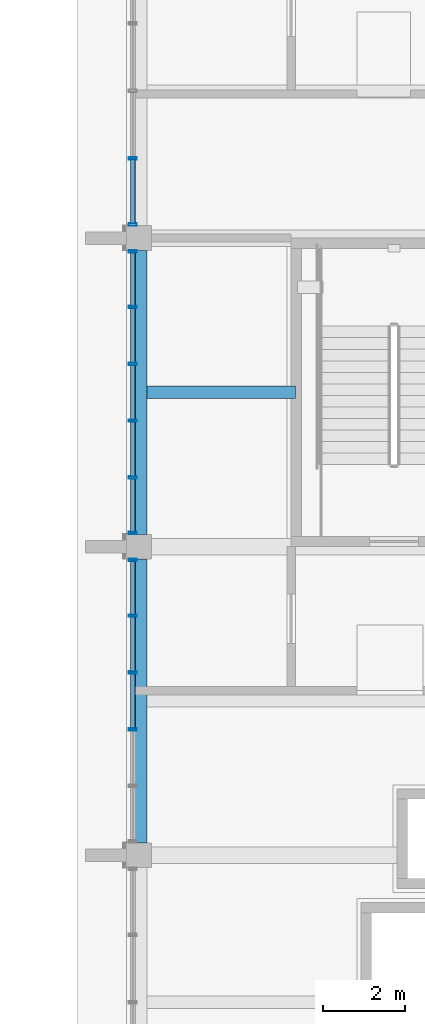
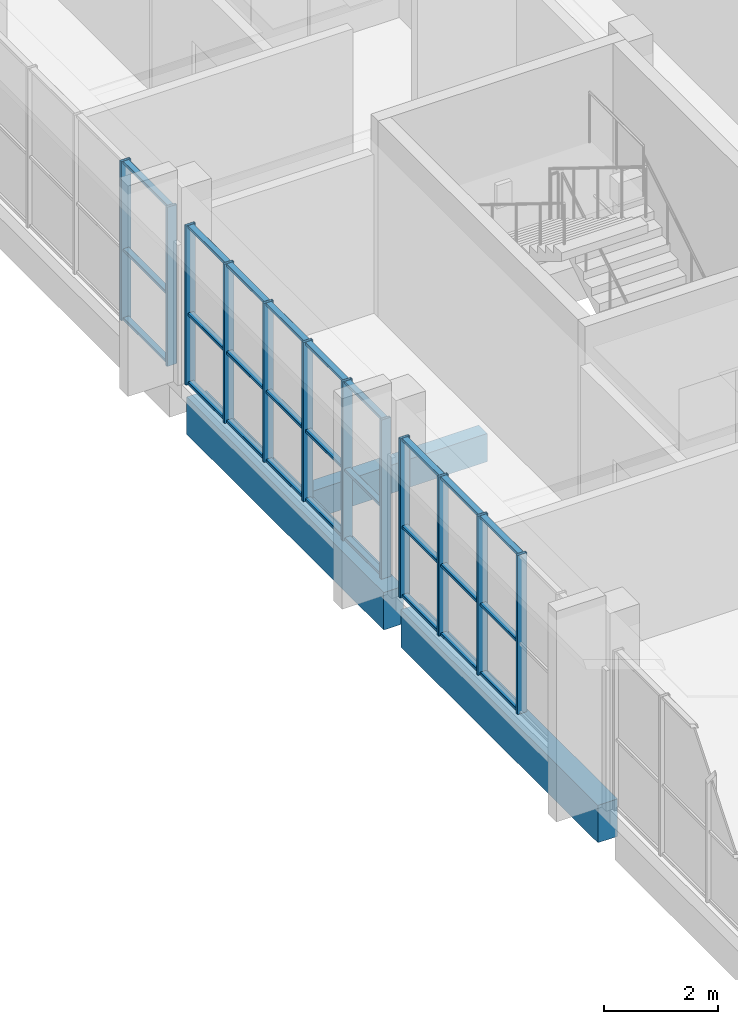
# One storey, part 13 of 42: 39 members, 3 beams, 3 elements without a shape of their own.
"""IFC4 building model written with IfcOpenShell, lengths in metres."""

from ifc_helpers import new_model, si_unit, direction, frame, origin, origin_2d, place, context, subcontext, project, spatial, rectangle, hollow_rectangle, extrude, material, material_profile, profile_set, type_object, element, aggregate, save


model = new_model("IFC4")

# Units and contexts
model_context = context("Model", 3, precision=1e-05, world=origin(), true_north=direction((0.0, 1.0)))
body_context = subcontext(model_context, "Body", "Model", "MODEL_VIEW")
ifc_project = project(units=[si_unit("LENGTHUNIT", "METRE"), si_unit("AREAUNIT", "SQUARE_METRE"), si_unit("VOLUMEUNIT", "CUBIC_METRE"), si_unit("PLANEANGLEUNIT", "RADIAN"), si_unit("MASSUNIT", "GRAM", prefix="KILO")], contexts=[model_context])

# Site, building, storey
site_placement = place(None, origin())
site = spatial("IfcSite", under=ifc_project, at=site_placement, CompositionType="ELEMENT")
building_placement = place(site_placement, origin())
building = spatial("IfcBuilding", under=site, at=building_placement, Name="Sun Court Science Centre", CompositionType="ELEMENT")
storey_placement = place(building_placement, frame((0.0, 0.0, 20.25)))
storey = spatial("IfcBuildingStorey", under=building, at=storey_placement, Name="L04", CompositionType="ELEMENT", Elevation=20.25)

# Curtain wall, members
ifc_material_1 = material(Name="Aluminium EN AW-6063 T6", Category="aluminium")
curtain_wall_type = type_object("IfcCurtainWallType", Name="Laboratory tall bay curtain wall 1500", PredefinedType="NOTDEFINED", material=ifc_material_1)
curtain_wall_1_placement = place(storey_placement, origin())
curtain_wall_1 = element("IfcCurtainWall", 1, at=curtain_wall_1_placement, inside=storey, type_object=curtain_wall_type, Name="Curtain wall V4 W L04 04", PredefinedType="NOTDEFINED")
ifc_material_2 = material(Name="Aluminium EN AW-6063 T6", Category="aluminium")
ifc_material_profile_1 = material_profile(ifc_material_2, hollow_rectangle(XDim=0.06005859375, YDim=0.199951171875, WallThickness=0.0048828125, InnerFilletRadius=0.0048828125, OuterFilletRadius=0.007568359375, at=origin_2d()), Name="AL 60x200x5")
ifc_profile_set_1 = profile_set([ifc_material_profile_1], Name="Aluminium EN AW-6063 T6")
member_type_1 = type_object("IfcMemberType", Name="Curtain wall mullion AL 60x200", PredefinedType="MULLION", material=ifc_profile_set_1)
member_1_placement = place(storey_placement, frame((78.14990234375, 54.06005859375, 0.0), z_axis=(0.0, 0.0, 1.0), x_axis=(0.0, 1.0, 0.0)))
member_1 = element("IfcMember", 2, at=member_1_placement, type_object=member_type_1, Name="CW2-40 mullion 3", PredefinedType="MULLION", context=body_context, shape_type="SweptSolid", body=[
    extrude(hollow_rectangle(XDim=0.06005859375, YDim=0.199951171875, WallThickness=0.0048828125, InnerFilletRadius=0.0048828125, OuterFilletRadius=0.007568359375, at=origin_2d()), origin(), (0.0, 0.0, 1.0), 3.39990234375),
])
member_2_placement = place(storey_placement, frame((78.14990234375, 55.43994140625, 0.0), z_axis=(0.0, 0.0, 1.0), x_axis=(0.0, 1.0, 0.0)))
member_2 = element("IfcMember", 3, at=member_2_placement, type_object=member_type_1, Name="CW2-40 mullion 4", PredefinedType="MULLION", context=body_context, shape_type="SweptSolid", body=[
    extrude(hollow_rectangle(XDim=0.06005859375, YDim=0.199951171875, WallThickness=0.0048828125, InnerFilletRadius=0.0048828125, OuterFilletRadius=0.007568359375, at=origin_2d()), origin(), (0.0, 0.0, 1.0), 3.39990234375),
])
member_3_placement = place(storey_placement, frame((78.14990234375, 56.820068359375, 0.0), z_axis=(0.0, 0.0, 1.0), x_axis=(0.0, 1.0, 0.0)))
member_3 = element("IfcMember", 4, at=member_3_placement, type_object=member_type_1, Name="CW2-40 mullion 5", PredefinedType="MULLION", context=body_context, shape_type="SweptSolid", body=[
    extrude(hollow_rectangle(XDim=0.06005859375, YDim=0.199951171875, WallThickness=0.0048828125, InnerFilletRadius=0.0048828125, OuterFilletRadius=0.007568359375, at=origin_2d()), origin(), (0.0, 0.0, 1.0), 3.39990234375),
])
member_4_placement = place(storey_placement, frame((78.14990234375, 58.169921875, 0.0), z_axis=(0.0, 0.0, 1.0), x_axis=(0.0, 1.0, 0.0)))
member_4 = element("IfcMember", 5, at=member_4_placement, type_object=member_type_1, Name="CW2-40 mullion 6", PredefinedType="MULLION", context=body_context, shape_type="SweptSolid", body=[
    extrude(hollow_rectangle(XDim=0.06005859375, YDim=0.199951171875, WallThickness=0.0048828125, InnerFilletRadius=0.0048828125, OuterFilletRadius=0.007568359375, at=origin_2d()), origin(), (0.0, 0.0, 1.0), 3.39990234375),
])

curtain_wall_2_placement = place(storey_placement, origin())
curtain_wall_2 = element("IfcCurtainWall", 6, at=curtain_wall_2_placement, inside=storey, type_object=curtain_wall_type, Name="Curtain wall V4 W L04 05", PredefinedType="NOTDEFINED")
member_5_placement = place(storey_placement, frame((78.14990234375, 58.830078125, 0.0), z_axis=(0.0, 0.0, 1.0), x_axis=(0.0, 1.0, 0.0)))
member_5 = element("IfcMember", 7, at=member_5_placement, type_object=member_type_1, Name="CW2-41 mullion 1", PredefinedType="MULLION", context=body_context, shape_type="SweptSolid", body=[
    extrude(hollow_rectangle(XDim=0.06005859375, YDim=0.199951171875, WallThickness=0.0048828125, InnerFilletRadius=0.0048828125, OuterFilletRadius=0.007568359375, at=origin_2d()), origin(), (0.0, 0.0, 1.0), 3.39990234375),
])
member_6_placement = place(storey_placement, frame((78.14990234375, 60.179931640625, 0.0), z_axis=(0.0, 0.0, 1.0), x_axis=(0.0, 1.0, 0.0)))
member_6 = element("IfcMember", 8, at=member_6_placement, type_object=member_type_1, Name="CW2-41 mullion 2", PredefinedType="MULLION", context=body_context, shape_type="SweptSolid", body=[
    extrude(hollow_rectangle(XDim=0.06005859375, YDim=0.199951171875, WallThickness=0.0048828125, InnerFilletRadius=0.0048828125, OuterFilletRadius=0.007568359375, at=origin_2d()), origin(), (0.0, 0.0, 1.0), 3.39990234375),
])
member_7_placement = place(storey_placement, frame((78.14990234375, 61.56005859375, 0.0), z_axis=(0.0, 0.0, 1.0), x_axis=(0.0, 1.0, 0.0)))
member_7 = element("IfcMember", 9, at=member_7_placement, type_object=member_type_1, Name="CW2-41 mullion 3", PredefinedType="MULLION", context=body_context, shape_type="SweptSolid", body=[
    extrude(hollow_rectangle(XDim=0.06005859375, YDim=0.199951171875, WallThickness=0.0048828125, InnerFilletRadius=0.0048828125, OuterFilletRadius=0.007568359375, at=origin_2d()), origin(), (0.0, 0.0, 1.0), 3.39990234375),
])
member_8_placement = place(storey_placement, frame((78.14990234375, 62.93994140625, 0.0), z_axis=(0.0, 0.0, 1.0), x_axis=(0.0, 1.0, 0.0)))
member_8 = element("IfcMember", 10, at=member_8_placement, type_object=member_type_1, Name="CW2-41 mullion 4", PredefinedType="MULLION", context=body_context, shape_type="SweptSolid", body=[
    extrude(hollow_rectangle(XDim=0.06005859375, YDim=0.199951171875, WallThickness=0.0048828125, InnerFilletRadius=0.0048828125, OuterFilletRadius=0.007568359375, at=origin_2d()), origin(), (0.0, 0.0, 1.0), 3.39990234375),
])
member_9_placement = place(storey_placement, frame((78.14990234375, 64.320068359375, 0.0), z_axis=(0.0, 0.0, 1.0), x_axis=(0.0, 1.0, 0.0)))
member_9 = element("IfcMember", 11, at=member_9_placement, type_object=member_type_1, Name="CW2-41 mullion 5", PredefinedType="MULLION", context=body_context, shape_type="SweptSolid", body=[
    extrude(hollow_rectangle(XDim=0.06005859375, YDim=0.199951171875, WallThickness=0.0048828125, InnerFilletRadius=0.0048828125, OuterFilletRadius=0.007568359375, at=origin_2d()), origin(), (0.0, 0.0, 1.0), 3.39990234375),
])
member_10_placement = place(storey_placement, frame((78.14990234375, 65.669921875, 0.0), z_axis=(0.0, 0.0, 1.0), x_axis=(0.0, 1.0, 0.0)))
member_10 = element("IfcMember", 12, at=member_10_placement, type_object=member_type_1, Name="CW2-41 mullion 6", PredefinedType="MULLION", context=body_context, shape_type="SweptSolid", body=[
    extrude(hollow_rectangle(XDim=0.06005859375, YDim=0.199951171875, WallThickness=0.0048828125, InnerFilletRadius=0.0048828125, OuterFilletRadius=0.007568359375, at=origin_2d()), origin(), (0.0, 0.0, 1.0), 3.39990234375),
])

curtain_wall_3_placement = place(storey_placement, origin())
curtain_wall_3 = element("IfcCurtainWall", 13, at=curtain_wall_3_placement, inside=storey, type_object=curtain_wall_type, Name="Curtain wall V4 W L04 06", PredefinedType="NOTDEFINED")
member_11_placement = place(storey_placement, frame((78.14990234375, 66.330078125, 0.0), z_axis=(0.0, 0.0, 1.0), x_axis=(0.0, 1.0, 0.0)))
member_11 = element("IfcMember", 14, at=member_11_placement, type_object=member_type_1, Name="CW2-42 mullion 1", PredefinedType="MULLION", context=body_context, shape_type="SweptSolid", body=[
    extrude(hollow_rectangle(XDim=0.06005859375, YDim=0.199951171875, WallThickness=0.0048828125, InnerFilletRadius=0.0048828125, OuterFilletRadius=0.007568359375, at=origin_2d()), origin(), (0.0, 0.0, 1.0), 3.39990234375),
])
member_12_placement = place(storey_placement, frame((78.14990234375, 67.9375, 0.0), z_axis=(0.0, 0.0, 1.0), x_axis=(0.0, 1.0, 0.0)))
member_12 = element("IfcMember", 15, at=member_12_placement, type_object=member_type_1, Name="CW2-42 mullion 2", PredefinedType="MULLION", context=body_context, shape_type="SweptSolid", body=[
    extrude(hollow_rectangle(XDim=0.06005859375, YDim=0.199951171875, WallThickness=0.0048828125, InnerFilletRadius=0.0048828125, OuterFilletRadius=0.007568359375, at=origin_2d()), origin(), (0.0, 0.0, 1.0), 3.39990234375),
])

# Member
ifc_material_3 = material(Name="Aluminium EN AW-6063 T6", Category="aluminium")
ifc_material_profile_2 = material_profile(ifc_material_3, hollow_rectangle(XDim=0.06005859375, YDim=0.1201171875, WallThickness=0.00390625, InnerFilletRadius=0.00390625, OuterFilletRadius=0.006103515625, at=origin_2d()), Name="AL 60x120x4")
ifc_profile_set_2 = profile_set([ifc_material_profile_2], Name="Aluminium EN AW-6063 T6")
member_type_2 = type_object("IfcMemberType", Name="Curtain wall transom AL 60x120", PredefinedType="USERDEFINED", material=ifc_profile_set_2)
member_13_placement = place(storey_placement, frame((78.14990234375, 54.090087890625, 0.030029296875), z_axis=(0.0, 1.0, 0.0), x_axis=(0.0, 0.0, 1.0)))
member_13 = element("IfcMember", 16, at=member_13_placement, type_object=member_type_2, Name="CW2-40 transom 3.1", ObjectType="TRANSOM", PredefinedType="USERDEFINED", context=body_context, shape_type="SweptSolid", body=[
    extrude(hollow_rectangle(XDim=0.06005859375, YDim=0.1201171875, WallThickness=0.00390625, InnerFilletRadius=0.00390625, OuterFilletRadius=0.006103515625, at=origin_2d()), origin(), (0.0, 0.0, 1.0), 1.31982421875),
])

member_14_placement = place(storey_placement, frame((78.14990234375, 55.469970703125, 0.030029296875), z_axis=(0.0, 1.0, 0.0), x_axis=(0.0, 0.0, 1.0)))
member_14 = element("IfcMember", 17, at=member_14_placement, type_object=member_type_2, Name="CW2-40 transom 4.1", ObjectType="TRANSOM", PredefinedType="USERDEFINED", context=body_context, shape_type="SweptSolid", body=[
    extrude(hollow_rectangle(XDim=0.06005859375, YDim=0.1201171875, WallThickness=0.00390625, InnerFilletRadius=0.00390625, OuterFilletRadius=0.006103515625, at=origin_2d()), origin(), (0.0, 0.0, 1.0), 1.320068359375),
])

member_15_placement = place(storey_placement, frame((78.14990234375, 56.85009765625, 0.030029296875), z_axis=(0.0, 1.0, 0.0), x_axis=(0.0, 0.0, 1.0)))
member_15 = element("IfcMember", 18, at=member_15_placement, type_object=member_type_2, Name="CW2-40 transom 5.1", ObjectType="TRANSOM", PredefinedType="USERDEFINED", context=body_context, shape_type="SweptSolid", body=[
    extrude(hollow_rectangle(XDim=0.06005859375, YDim=0.1201171875, WallThickness=0.00390625, InnerFilletRadius=0.00390625, OuterFilletRadius=0.006103515625, at=origin_2d()), origin(), (0.0, 0.0, 1.0), 1.289794921875),
])

member_16_placement = place(storey_placement, frame((78.14990234375, 54.090087890625, 1.5), z_axis=(0.0, 1.0, 0.0), x_axis=(0.0, 0.0, 1.0)))
member_16 = element("IfcMember", 19, at=member_16_placement, type_object=member_type_2, Name="CW2-40 transom 3.2", ObjectType="TRANSOM", PredefinedType="USERDEFINED", context=body_context, shape_type="SweptSolid", body=[
    extrude(hollow_rectangle(XDim=0.06005859375, YDim=0.1201171875, WallThickness=0.00390625, InnerFilletRadius=0.00390625, OuterFilletRadius=0.006103515625, at=origin_2d()), origin(), (0.0, 0.0, 1.0), 1.31982421875),
])

member_17_placement = place(storey_placement, frame((78.14990234375, 55.469970703125, 1.5), z_axis=(0.0, 1.0, 0.0), x_axis=(0.0, 0.0, 1.0)))
member_17 = element("IfcMember", 20, at=member_17_placement, type_object=member_type_2, Name="CW2-40 transom 4.2", ObjectType="TRANSOM", PredefinedType="USERDEFINED", context=body_context, shape_type="SweptSolid", body=[
    extrude(hollow_rectangle(XDim=0.06005859375, YDim=0.1201171875, WallThickness=0.00390625, InnerFilletRadius=0.00390625, OuterFilletRadius=0.006103515625, at=origin_2d()), origin(), (0.0, 0.0, 1.0), 1.320068359375),
])

member_18_placement = place(storey_placement, frame((78.14990234375, 56.85009765625, 1.5), z_axis=(0.0, 1.0, 0.0), x_axis=(0.0, 0.0, 1.0)))
member_18 = element("IfcMember", 21, at=member_18_placement, type_object=member_type_2, Name="CW2-40 transom 5.2", ObjectType="TRANSOM", PredefinedType="USERDEFINED", context=body_context, shape_type="SweptSolid", body=[
    extrude(hollow_rectangle(XDim=0.06005859375, YDim=0.1201171875, WallThickness=0.00390625, InnerFilletRadius=0.00390625, OuterFilletRadius=0.006103515625, at=origin_2d()), origin(), (0.0, 0.0, 1.0), 1.289794921875),
])

member_19_placement = place(storey_placement, frame((78.14990234375, 54.090087890625, 3.3701171875), z_axis=(0.0, 1.0, 0.0), x_axis=(0.0, 0.0, 1.0)))
member_19 = element("IfcMember", 22, at=member_19_placement, type_object=member_type_2, Name="CW2-40 transom 3.3", ObjectType="TRANSOM", PredefinedType="USERDEFINED", context=body_context, shape_type="SweptSolid", body=[
    extrude(hollow_rectangle(XDim=0.06005859375, YDim=0.1201171875, WallThickness=0.00390625, InnerFilletRadius=0.00390625, OuterFilletRadius=0.006103515625, at=origin_2d()), origin(), (0.0, 0.0, 1.0), 1.31982421875),
])

member_20_placement = place(storey_placement, frame((78.14990234375, 55.469970703125, 3.3701171875), z_axis=(0.0, 1.0, 0.0), x_axis=(0.0, 0.0, 1.0)))
member_20 = element("IfcMember", 23, at=member_20_placement, type_object=member_type_2, Name="CW2-40 transom 4.3", ObjectType="TRANSOM", PredefinedType="USERDEFINED", context=body_context, shape_type="SweptSolid", body=[
    extrude(hollow_rectangle(XDim=0.06005859375, YDim=0.1201171875, WallThickness=0.00390625, InnerFilletRadius=0.00390625, OuterFilletRadius=0.006103515625, at=origin_2d()), origin(), (0.0, 0.0, 1.0), 1.320068359375),
])

member_21_placement = place(storey_placement, frame((78.14990234375, 56.85009765625, 3.3701171875), z_axis=(0.0, 1.0, 0.0), x_axis=(0.0, 0.0, 1.0)))
member_21 = element("IfcMember", 24, at=member_21_placement, type_object=member_type_2, Name="CW2-40 transom 5.3", ObjectType="TRANSOM", PredefinedType="USERDEFINED", context=body_context, shape_type="SweptSolid", body=[
    extrude(hollow_rectangle(XDim=0.06005859375, YDim=0.1201171875, WallThickness=0.00390625, InnerFilletRadius=0.00390625, OuterFilletRadius=0.006103515625, at=origin_2d()), origin(), (0.0, 0.0, 1.0), 1.289794921875),
])

aggregate(curtain_wall_1, [member_1, member_2, member_3, member_4, member_13, member_14, member_15, member_16, member_17, member_18, member_19, member_20, member_21])

member_22_placement = place(storey_placement, frame((78.14990234375, 58.860107421875, 0.030029296875), z_axis=(0.0, 1.0, 0.0), x_axis=(0.0, 0.0, 1.0)))
member_22 = element("IfcMember", 25, at=member_22_placement, type_object=member_type_2, Name="CW2-41 transom 1.1", ObjectType="TRANSOM", PredefinedType="USERDEFINED", context=body_context, shape_type="SweptSolid", body=[
    extrude(hollow_rectangle(XDim=0.06005859375, YDim=0.1201171875, WallThickness=0.00390625, InnerFilletRadius=0.00390625, OuterFilletRadius=0.006103515625, at=origin_2d()), origin(), (0.0, 0.0, 1.0), 1.289794921875),
])

member_23_placement = place(storey_placement, frame((78.14990234375, 60.2099609375, 0.030029296875), z_axis=(0.0, 1.0, 0.0), x_axis=(0.0, 0.0, 1.0)))
member_23 = element("IfcMember", 26, at=member_23_placement, type_object=member_type_2, Name="CW2-41 transom 2.1", ObjectType="TRANSOM", PredefinedType="USERDEFINED", context=body_context, shape_type="SweptSolid", body=[
    extrude(hollow_rectangle(XDim=0.06005859375, YDim=0.1201171875, WallThickness=0.00390625, InnerFilletRadius=0.00390625, OuterFilletRadius=0.006103515625, at=origin_2d()), origin(), (0.0, 0.0, 1.0), 1.320068359375),
])

member_24_placement = place(storey_placement, frame((78.14990234375, 61.590087890625, 0.030029296875), z_axis=(0.0, 1.0, 0.0), x_axis=(0.0, 0.0, 1.0)))
member_24 = element("IfcMember", 27, at=member_24_placement, type_object=member_type_2, Name="CW2-41 transom 3.1", ObjectType="TRANSOM", PredefinedType="USERDEFINED", context=body_context, shape_type="SweptSolid", body=[
    extrude(hollow_rectangle(XDim=0.06005859375, YDim=0.1201171875, WallThickness=0.00390625, InnerFilletRadius=0.00390625, OuterFilletRadius=0.006103515625, at=origin_2d()), origin(), (0.0, 0.0, 1.0), 1.31982421875),
])

member_25_placement = place(storey_placement, frame((78.14990234375, 62.969970703125, 0.030029296875), z_axis=(0.0, 1.0, 0.0), x_axis=(0.0, 0.0, 1.0)))
member_25 = element("IfcMember", 28, at=member_25_placement, type_object=member_type_2, Name="CW2-41 transom 4.1", ObjectType="TRANSOM", PredefinedType="USERDEFINED", context=body_context, shape_type="SweptSolid", body=[
    extrude(hollow_rectangle(XDim=0.06005859375, YDim=0.1201171875, WallThickness=0.00390625, InnerFilletRadius=0.00390625, OuterFilletRadius=0.006103515625, at=origin_2d()), origin(), (0.0, 0.0, 1.0), 1.320068359375),
])

member_26_placement = place(storey_placement, frame((78.14990234375, 64.35009765625, 0.030029296875), z_axis=(0.0, 1.0, 0.0), x_axis=(0.0, 0.0, 1.0)))
member_26 = element("IfcMember", 29, at=member_26_placement, type_object=member_type_2, Name="CW2-41 transom 5.1", ObjectType="TRANSOM", PredefinedType="USERDEFINED", context=body_context, shape_type="SweptSolid", body=[
    extrude(hollow_rectangle(XDim=0.06005859375, YDim=0.1201171875, WallThickness=0.00390625, InnerFilletRadius=0.00390625, OuterFilletRadius=0.006103515625, at=origin_2d()), origin(), (0.0, 0.0, 1.0), 1.289794921875),
])

member_27_placement = place(storey_placement, frame((78.14990234375, 58.860107421875, 1.5), z_axis=(0.0, 1.0, 0.0), x_axis=(0.0, 0.0, 1.0)))
member_27 = element("IfcMember", 30, at=member_27_placement, type_object=member_type_2, Name="CW2-41 transom 1.2", ObjectType="TRANSOM", PredefinedType="USERDEFINED", context=body_context, shape_type="SweptSolid", body=[
    extrude(hollow_rectangle(XDim=0.06005859375, YDim=0.1201171875, WallThickness=0.00390625, InnerFilletRadius=0.00390625, OuterFilletRadius=0.006103515625, at=origin_2d()), origin(), (0.0, 0.0, 1.0), 1.289794921875),
])

member_28_placement = place(storey_placement, frame((78.14990234375, 60.2099609375, 1.5), z_axis=(0.0, 1.0, 0.0), x_axis=(0.0, 0.0, 1.0)))
member_28 = element("IfcMember", 31, at=member_28_placement, type_object=member_type_2, Name="CW2-41 transom 2.2", ObjectType="TRANSOM", PredefinedType="USERDEFINED", context=body_context, shape_type="SweptSolid", body=[
    extrude(hollow_rectangle(XDim=0.06005859375, YDim=0.1201171875, WallThickness=0.00390625, InnerFilletRadius=0.00390625, OuterFilletRadius=0.006103515625, at=origin_2d()), origin(), (0.0, 0.0, 1.0), 1.320068359375),
])

member_29_placement = place(storey_placement, frame((78.14990234375, 61.590087890625, 1.5), z_axis=(0.0, 1.0, 0.0), x_axis=(0.0, 0.0, 1.0)))
member_29 = element("IfcMember", 32, at=member_29_placement, type_object=member_type_2, Name="CW2-41 transom 3.2", ObjectType="TRANSOM", PredefinedType="USERDEFINED", context=body_context, shape_type="SweptSolid", body=[
    extrude(hollow_rectangle(XDim=0.06005859375, YDim=0.1201171875, WallThickness=0.00390625, InnerFilletRadius=0.00390625, OuterFilletRadius=0.006103515625, at=origin_2d()), origin(), (0.0, 0.0, 1.0), 1.31982421875),
])

member_30_placement = place(storey_placement, frame((78.14990234375, 62.969970703125, 1.5), z_axis=(0.0, 1.0, 0.0), x_axis=(0.0, 0.0, 1.0)))
member_30 = element("IfcMember", 33, at=member_30_placement, type_object=member_type_2, Name="CW2-41 transom 4.2", ObjectType="TRANSOM", PredefinedType="USERDEFINED", context=body_context, shape_type="SweptSolid", body=[
    extrude(hollow_rectangle(XDim=0.06005859375, YDim=0.1201171875, WallThickness=0.00390625, InnerFilletRadius=0.00390625, OuterFilletRadius=0.006103515625, at=origin_2d()), origin(), (0.0, 0.0, 1.0), 1.320068359375),
])

member_31_placement = place(storey_placement, frame((78.14990234375, 64.35009765625, 1.5), z_axis=(0.0, 1.0, 0.0), x_axis=(0.0, 0.0, 1.0)))
member_31 = element("IfcMember", 34, at=member_31_placement, type_object=member_type_2, Name="CW2-41 transom 5.2", ObjectType="TRANSOM", PredefinedType="USERDEFINED", context=body_context, shape_type="SweptSolid", body=[
    extrude(hollow_rectangle(XDim=0.06005859375, YDim=0.1201171875, WallThickness=0.00390625, InnerFilletRadius=0.00390625, OuterFilletRadius=0.006103515625, at=origin_2d()), origin(), (0.0, 0.0, 1.0), 1.289794921875),
])

member_32_placement = place(storey_placement, frame((78.14990234375, 58.860107421875, 3.3701171875), z_axis=(0.0, 1.0, 0.0), x_axis=(0.0, 0.0, 1.0)))
member_32 = element("IfcMember", 35, at=member_32_placement, type_object=member_type_2, Name="CW2-41 transom 1.3", ObjectType="TRANSOM", PredefinedType="USERDEFINED", context=body_context, shape_type="SweptSolid", body=[
    extrude(hollow_rectangle(XDim=0.06005859375, YDim=0.1201171875, WallThickness=0.00390625, InnerFilletRadius=0.00390625, OuterFilletRadius=0.006103515625, at=origin_2d()), origin(), (0.0, 0.0, 1.0), 1.289794921875),
])

member_33_placement = place(storey_placement, frame((78.14990234375, 60.2099609375, 3.3701171875), z_axis=(0.0, 1.0, 0.0), x_axis=(0.0, 0.0, 1.0)))
member_33 = element("IfcMember", 36, at=member_33_placement, type_object=member_type_2, Name="CW2-41 transom 2.3", ObjectType="TRANSOM", PredefinedType="USERDEFINED", context=body_context, shape_type="SweptSolid", body=[
    extrude(hollow_rectangle(XDim=0.06005859375, YDim=0.1201171875, WallThickness=0.00390625, InnerFilletRadius=0.00390625, OuterFilletRadius=0.006103515625, at=origin_2d()), origin(), (0.0, 0.0, 1.0), 1.320068359375),
])

member_34_placement = place(storey_placement, frame((78.14990234375, 61.590087890625, 3.3701171875), z_axis=(0.0, 1.0, 0.0), x_axis=(0.0, 0.0, 1.0)))
member_34 = element("IfcMember", 37, at=member_34_placement, type_object=member_type_2, Name="CW2-41 transom 3.3", ObjectType="TRANSOM", PredefinedType="USERDEFINED", context=body_context, shape_type="SweptSolid", body=[
    extrude(hollow_rectangle(XDim=0.06005859375, YDim=0.1201171875, WallThickness=0.00390625, InnerFilletRadius=0.00390625, OuterFilletRadius=0.006103515625, at=origin_2d()), origin(), (0.0, 0.0, 1.0), 1.31982421875),
])

member_35_placement = place(storey_placement, frame((78.14990234375, 62.969970703125, 3.3701171875), z_axis=(0.0, 1.0, 0.0), x_axis=(0.0, 0.0, 1.0)))
member_35 = element("IfcMember", 38, at=member_35_placement, type_object=member_type_2, Name="CW2-41 transom 4.3", ObjectType="TRANSOM", PredefinedType="USERDEFINED", context=body_context, shape_type="SweptSolid", body=[
    extrude(hollow_rectangle(XDim=0.06005859375, YDim=0.1201171875, WallThickness=0.00390625, InnerFilletRadius=0.00390625, OuterFilletRadius=0.006103515625, at=origin_2d()), origin(), (0.0, 0.0, 1.0), 1.320068359375),
])

member_36_placement = place(storey_placement, frame((78.14990234375, 64.35009765625, 3.3701171875), z_axis=(0.0, 1.0, 0.0), x_axis=(0.0, 0.0, 1.0)))
member_36 = element("IfcMember", 39, at=member_36_placement, type_object=member_type_2, Name="CW2-41 transom 5.3", ObjectType="TRANSOM", PredefinedType="USERDEFINED", context=body_context, shape_type="SweptSolid", body=[
    extrude(hollow_rectangle(XDim=0.06005859375, YDim=0.1201171875, WallThickness=0.00390625, InnerFilletRadius=0.00390625, OuterFilletRadius=0.006103515625, at=origin_2d()), origin(), (0.0, 0.0, 1.0), 1.289794921875),
])

aggregate(curtain_wall_2, [member_5, member_6, member_7, member_8, member_9, member_10, member_22, member_23, member_24, member_25, member_26, member_27, member_28, member_29, member_30, member_31, member_32, member_33, member_34, member_35, member_36])

member_37_placement = place(storey_placement, frame((78.14990234375, 66.360107421875, 0.030029296875), z_axis=(0.0, 1.0, 0.0), x_axis=(0.0, 0.0, 1.0)))
member_37 = element("IfcMember", 40, at=member_37_placement, type_object=member_type_2, Name="CW2-42 transom 1.1", ObjectType="TRANSOM", PredefinedType="USERDEFINED", context=body_context, shape_type="SweptSolid", body=[
    extrude(hollow_rectangle(XDim=0.06005859375, YDim=0.1201171875, WallThickness=0.00390625, InnerFilletRadius=0.00390625, OuterFilletRadius=0.006103515625, at=origin_2d()), origin(), (0.0, 0.0, 1.0), 1.54736328125),
])

member_38_placement = place(storey_placement, frame((78.14990234375, 66.360107421875, 1.5), z_axis=(0.0, 1.0, 0.0), x_axis=(0.0, 0.0, 1.0)))
member_38 = element("IfcMember", 41, at=member_38_placement, type_object=member_type_2, Name="CW2-42 transom 1.2", ObjectType="TRANSOM", PredefinedType="USERDEFINED", context=body_context, shape_type="SweptSolid", body=[
    extrude(hollow_rectangle(XDim=0.06005859375, YDim=0.1201171875, WallThickness=0.00390625, InnerFilletRadius=0.00390625, OuterFilletRadius=0.006103515625, at=origin_2d()), origin(), (0.0, 0.0, 1.0), 1.54736328125),
])

member_39_placement = place(storey_placement, frame((78.14990234375, 66.360107421875, 3.3701171875), z_axis=(0.0, 1.0, 0.0), x_axis=(0.0, 0.0, 1.0)))
member_39 = element("IfcMember", 42, at=member_39_placement, type_object=member_type_2, Name="CW2-42 transom 1.3", ObjectType="TRANSOM", PredefinedType="USERDEFINED", context=body_context, shape_type="SweptSolid", body=[
    extrude(hollow_rectangle(XDim=0.06005859375, YDim=0.1201171875, WallThickness=0.00390625, InnerFilletRadius=0.00390625, OuterFilletRadius=0.006103515625, at=origin_2d()), origin(), (0.0, 0.0, 1.0), 1.54736328125),
])

aggregate(curtain_wall_3, [member_11, member_12, member_37, member_38, member_39])

# Beams
ifc_material_4 = material(Name="Concrete C25/30", Category="concrete")
ifc_material_profile_3 = material_profile(ifc_material_4, rectangle(XDim=0.39990234375, YDim=0.800048828125, at=origin_2d()), Name="RC 400x800")
ifc_profile_set_3 = profile_set([ifc_material_profile_3], Name="Concrete C25/30")
beam_type_1 = type_object("IfcBeamType", Name="RC girder 400x800", PredefinedType="BEAM", material=ifc_profile_set_3)
for number, where, z_axis, x_axis, name in (
    (43, (78.300048828125, 51.300048828125, -0.699951171875), (0.0, 1.0, 0.0), (-1.0, 0.0, 0.0), "Girder L04 line 1"),
    (44, (78.300048828125, 58.800048828125, -0.699951171875), (0.0, 1.0, 0.0), (-1.0, 0.0, 0.0), "Girder L04 line 1"),
):
    element("IfcBeam", number, at=place(storey_placement, frame(where, z_axis=z_axis, x_axis=x_axis)), inside=storey, type_object=beam_type_1, Name=name, PredefinedType="BEAM", context=body_context, shape_type="SweptSolid", body=[
        extrude(rectangle(XDim=0.39990234375, YDim=0.800048828125, at=origin_2d()), origin(), (0.0, 0.0, 1.0), 6.89990234375),
    ])
ifc_material_5 = material(Name="Concrete C25/30", Category="concrete")
ifc_material_profile_4 = material_profile(ifc_material_5, rectangle(XDim=0.300048828125, YDim=0.60009765625, at=origin_2d()), Name="RC 300x600")
ifc_profile_set_4 = profile_set([ifc_material_profile_4], Name="Concrete C25/30")
beam_type_2 = type_object("IfcBeamType", Name="RC joist 300x600", PredefinedType="JOIST", material=ifc_profile_set_4)
beam_placement = place(storey_placement, frame((78.5, 62.25, -0.60009765625), z_axis=(1.0, 0.0, 0.0), x_axis=(0.0, 1.0, 0.0)))
element("IfcBeam", 45, at=beam_placement, inside=storey, type_object=beam_type_2, Name="Joist L04", PredefinedType="JOIST", context=body_context, shape_type="SweptSolid", body=[
    extrude(rectangle(XDim=0.300048828125, YDim=0.60009765625, at=origin_2d()), origin(), (0.0, 0.0, 1.0), 3.60009765625),
])

save(model, "model.ifc")
